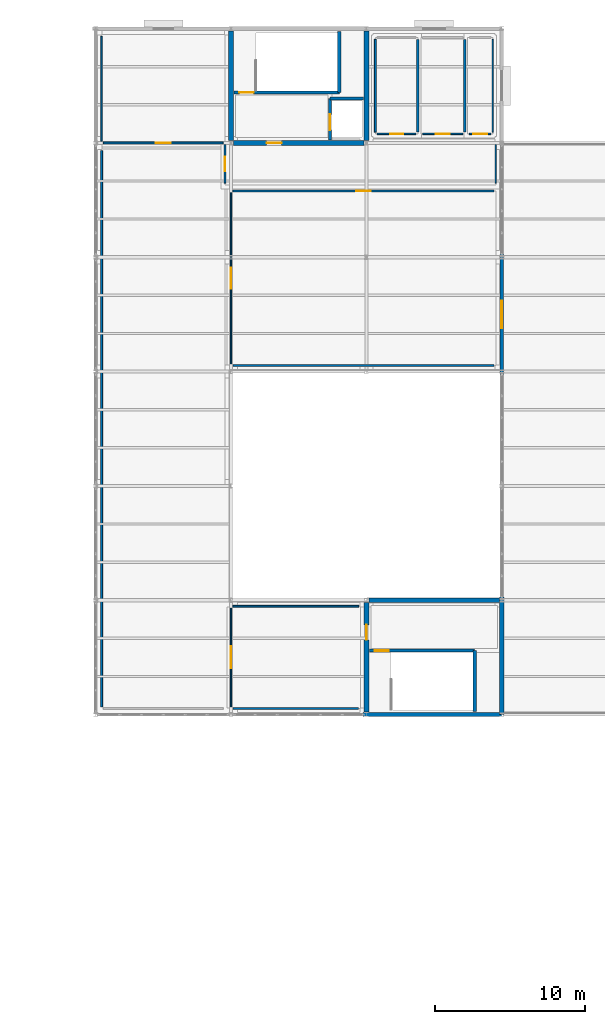
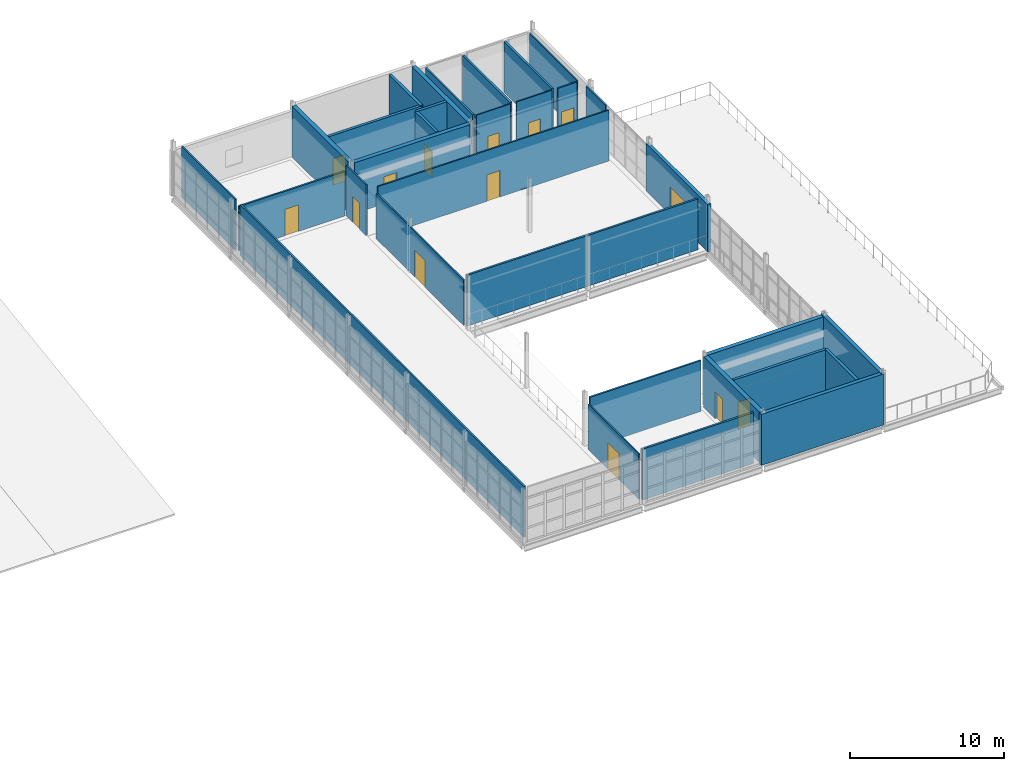
# One storey, part 43 of 48: 32 walls, 14 doors, 14 openings.
"""IFC4 building model written with IfcOpenShell, lengths in metres."""

from ifc_helpers import new_model, si_unit, direction, frame, frame_2d, origin, place, context, subcontext, project, spatial, rectangle, extrude, material, layer, layer_set, type_object, element, fill, save


model = new_model("IFC4")

# Units and contexts
model_context = context("Model", 3, precision=1e-05, world=origin(), true_north=direction((0.0, 1.0)))
body_context = subcontext(model_context, "Body", "Model", "MODEL_VIEW")
ifc_project = project(units=[si_unit("LENGTHUNIT", "METRE"), si_unit("AREAUNIT", "SQUARE_METRE"), si_unit("VOLUMEUNIT", "CUBIC_METRE"), si_unit("PLANEANGLEUNIT", "RADIAN"), si_unit("MASSUNIT", "GRAM", prefix="KILO")], contexts=[model_context])

# Site, building, storey
site_placement = place(None, origin())
site = spatial("IfcSite", under=ifc_project, at=site_placement, CompositionType="ELEMENT")
building_placement = place(site_placement, origin())
building = spatial("IfcBuilding", under=site, at=building_placement, Name="Caisbarro Railhouse Central Library", CompositionType="ELEMENT")
storey_placement = place(building_placement, frame((0.0, 0.0, 18.0)))
storey = spatial("IfcBuildingStorey", under=building, at=storey_placement, Name="L04", CompositionType="ELEMENT", Elevation=18.0)

# Wall, opening, door
ifc_material_1 = material(Name="Concrete C40", Category="concrete")
ifc_layer_1 = layer(ifc_material_1, 0.320068359375, Name="Concrete C40")
ifc_layer_set_1 = layer_set([ifc_layer_1], Name="Concrete C40")
wall_type_1 = type_object("IfcWallType", Name="WAL-CW32", PredefinedType="SHEAR", material=ifc_layer_set_1)
wall_1_placement = place(storey_placement, frame((126.159912109375, 106.39990234375, 0.0), z_axis=(0.0, 0.0, 1.0), x_axis=(1.0, 0.0, 0.0)))
wall_1 = element("IfcWall", 1, at=wall_1_placement, inside=storey, type_object=wall_type_1, Name="CW32 RC core shear wall L04 #52", PredefinedType="SHEAR", context=body_context, shape_type="SweptSolid", body=[
    extrude(rectangle(XDim=8.68017578125, YDim=0.320068359375, at=frame_2d((4.340087890625, 0.0))), origin(), (0.0, 0.0, 1.0), 4.0400390625),
])
opening_1_placement = place(wall_1_placement, frame((2.199951171875, 0.0, 0.0)))
opening_1 = element("IfcOpeningElement", 2, at=opening_1_placement, cuts=wall_1, Name="Opening FD05", PredefinedType="OPENING", context=body_context, shape_type="SweptSolid", body=[
    extrude(rectangle(XDim=1.0, YDim=2.14990234375, at=frame_2d((0.5, 1.074951171875))), frame((0.0, 0.169921875, 0.0), z_axis=(0.0, -1.0, 0.0), x_axis=(1.0, 0.0, 0.0)), (0.0, 0.0, 1.0), 0.340087890625),
])
ifc_material_2 = material(Name="Fire-rated painted galvanised steel", Category="steel")
door_type_1 = type_object("IfcDoorType", Name="DR-FD05", OperationType="NOTDEFINED", PredefinedType="DOOR", material=ifc_material_2)
door_1_placement = place(opening_1_placement, origin())
door_1 = element("IfcDoor", 3, at=door_1_placement, inside=storey, type_object=door_type_1, Name="Core K3 Lobby Door FD05 L04-099", OperationType="SINGLE_SWING_RIGHT", OverallHeight=2.14990234375, OverallWidth=1.0, PredefinedType="DOOR", context=body_context, shape_type="SweptSolid", body=[
    extrude(rectangle(XDim=1.0, YDim=2.14990234375, at=frame_2d((0.5, 1.074951171875))), frame((0.0, 0.02490234375, 0.0), z_axis=(0.0, -1.0, 0.0), x_axis=(1.0, 0.0, 0.0)), (0.0, 0.0, 1.0), 0.050048828125),
])
fill(opening_1, door_1)

# Walls
for number, where, z_axis, x_axis, name in (
    (4, (126.0, 106.56005859375, 0.0), (0.0, 0.0, 1.0), (0.0, 1.0, 0.0), "CW32 RC core shear wall L04 #53"),
    (5, (135.0, 106.56005859375, 0.0), (0.0, 0.0, 1.0), (0.0, 1.0, 0.0), "CW32 RC core shear wall L04 #54"),
):
    element("IfcWall", number, at=place(storey_placement, frame(where, z_axis=z_axis, x_axis=x_axis)), inside=storey, type_object=wall_type_1, Name=name, PredefinedType="SHEAR", context=body_context, shape_type="SweptSolid", body=[
        extrude(rectangle(XDim=7.280029296875, YDim=0.320068359375, at=frame_2d((3.64013671875, 0.0))), origin(), (0.0, 0.0, 1.0), 4.0400390625),
    ])
wall_2_placement = place(storey_placement, frame((135.159912109375, 76.0, 0.0), z_axis=(0.0, 0.0, 1.0), x_axis=(1.0, 0.0, 0.0)))
element("IfcWall", 6, at=wall_2_placement, inside=storey, type_object=wall_type_1, Name="CW32 RC core shear wall L04 #105", PredefinedType="SHEAR", context=body_context, shape_type="SweptSolid", body=[
    extrude(rectangle(XDim=8.68017578125, YDim=0.320068359375, at=frame_2d((4.340087890625, 0.0))), origin(), (0.0, 0.0, 1.0), 4.0400390625),
])

# Wall, opening, door
wall_3_placement = place(storey_placement, frame((135.0, 68.56005859375, 0.0), z_axis=(0.0, 0.0, 1.0), x_axis=(0.0, 1.0, 0.0)))
wall_3 = element("IfcWall", 7, at=wall_3_placement, inside=storey, type_object=wall_type_1, Name="CW32 RC core shear wall L04 #106", PredefinedType="SHEAR", context=body_context, shape_type="SweptSolid", body=[
    extrude(rectangle(XDim=7.280029296875, YDim=0.320068359375, at=frame_2d((3.64013671875, 0.0))), origin(), (0.0, 0.0, 1.0), 4.0400390625),
])
opening_2_placement = place(wall_3_placement, frame((4.800048828125, 0.0, 0.0)))
opening_2 = element("IfcOpeningElement", 8, at=opening_2_placement, cuts=wall_3, Name="Opening FD05", PredefinedType="OPENING", context=body_context, shape_type="SweptSolid", body=[
    extrude(rectangle(XDim=1.0, YDim=2.14990234375, at=frame_2d((0.5, 1.074951171875))), frame((0.0, 0.169921875, 0.0), z_axis=(0.0, -1.0, 0.0), x_axis=(1.0, 0.0, 0.0)), (0.0, 0.0, 1.0), 0.340087890625),
])
door_2_placement = place(opening_2_placement, origin())
door_2 = element("IfcDoor", 9, at=door_2_placement, inside=storey, type_object=door_type_1, Name="Core K7 Lobby Door FD05 L04-136", OperationType="SINGLE_SWING_LEFT", OverallHeight=2.14990234375, OverallWidth=1.0, PredefinedType="DOOR", context=body_context, shape_type="SweptSolid", body=[
    extrude(rectangle(XDim=1.0, YDim=2.14990234375, at=frame_2d((0.5, 1.074951171875))), frame((0.0, 0.02490234375, 0.0), z_axis=(0.0, -1.0, 0.0), x_axis=(1.0, 0.0, 0.0)), (0.0, 0.0, 1.0), 0.050048828125),
])
fill(opening_2, door_2)

ifc_material_3 = material(Name="Concrete C35 insulated architectural precast", Category="concrete")
ifc_layer_2 = layer(ifc_material_3, 0.239990234375, Name="Concrete C35 insulated architectural precast")
ifc_layer_set_2 = layer_set([ifc_layer_2], Name="Concrete C35 insulated architectural precast")
wall_type_2 = type_object("IfcWallType", Name="WAL-EW24", PredefinedType="STANDARD", material=ifc_layer_set_2)
wall_4_placement = place(storey_placement, frame((144.0, 90.989990234375, 0.0), z_axis=(0.0, 0.0, 1.0), x_axis=(0.0, 1.0, 0.0)))
wall_4 = element("IfcWall", 10, at=wall_4_placement, inside=storey, type_object=wall_type_2, Name="EW24 exterior wall L04 #229", PredefinedType="STANDARD", context=body_context, shape_type="SweptSolid", body=[
    extrude(rectangle(XDim=8.02001953125, YDim=0.239990234375, at=frame_2d((4.010009765625, 0.0))), origin(), (0.0, 0.0, 1.0), 3.76806640625),
])
opening_3_placement = place(wall_4_placement, frame((3.10009765625, 0.0, 0.0)))
opening_3 = element("IfcOpeningElement", 11, at=opening_3_placement, cuts=wall_4, Name="Opening TD01", PredefinedType="OPENING", context=body_context, shape_type="SweptSolid", body=[
    extrude(rectangle(XDim=1.820068359375, YDim=2.199951171875, at=frame_2d((0.91015625, 1.10009765625))), frame((0.0, 0.1298828125, 0.0), z_axis=(0.0, -1.0, 0.0), x_axis=(1.0, 0.0, 0.0)), (0.0, 0.0, 1.0), 0.260009765625),
])
ifc_material_4 = material(Name="Thermally broken anodised aluminium and safety glass", Category="aluminium")
door_type_2 = type_object("IfcDoorType", Name="DR-TD01", OperationType="NOTDEFINED", PredefinedType="DOOR", material=ifc_material_4)
door_3_placement = place(opening_3_placement, frame((1.820068359375, 0.0, 0.0), z_axis=(0.0, 0.0, 1.0), x_axis=(-1.0, 0.0, 0.0)))
door_3 = element("IfcDoor", 12, at=door_3_placement, inside=storey, type_object=door_type_2, Name="Terrace Door TD01 L04-39", OperationType="SINGLE_SWING_LEFT", OverallHeight=2.199951171875, OverallWidth=1.820068359375, PredefinedType="DOOR", context=body_context, shape_type="SweptSolid", body=[
    extrude(rectangle(XDim=1.820068359375, YDim=2.199951171875, at=frame_2d((0.91015625, 1.10009765625))), frame((0.0, 0.02490234375, 0.0), z_axis=(0.0, -1.0, 0.0), x_axis=(1.0, 0.0, 0.0)), (0.0, 0.0, 1.0), 0.050048828125),
])
fill(opening_3, door_3)

# Walls
ifc_layer_3 = layer(ifc_material_1, 0.280029296875, Name="Concrete C40")
ifc_layer_set_3 = layer_set([ifc_layer_3], Name="Concrete C40")
wall_type_3 = type_object("IfcWallType", Name="WAL-EW28", PredefinedType="SOLIDWALL", material=ifc_layer_set_3)
wall_5_placement = place(storey_placement, frame((134.7900390625, 68.39990234375, 0.0), z_axis=(0.0, 0.0, 1.0), x_axis=(1.0, 0.0, 0.0)))
element("IfcWall", 13, at=wall_5_placement, inside=storey, type_object=wall_type_3, Name="EW28 exterior wall L04 #226", PredefinedType="SOLIDWALL", context=body_context, shape_type="SweptSolid", body=[
    extrude(rectangle(XDim=9.2099609375, YDim=0.280029296875, at=frame_2d((4.60498046875, 0.0))), origin(), (0.0, 0.0, 1.0), 4.06005859375),
])
wall_6_placement = place(storey_placement, frame((144.0, 68.39990234375, 0.0), z_axis=(0.0, 0.0, 1.0), x_axis=(0.0, 1.0, 0.0)))
element("IfcWall", 14, at=wall_6_placement, inside=storey, type_object=wall_type_3, Name="EW28 exterior wall L04 #228", PredefinedType="SOLIDWALL", context=body_context, shape_type="SweptSolid", body=[
    extrude(rectangle(XDim=7.81005859375, YDim=0.280029296875, at=frame_2d((3.905029296875, 0.0))), origin(), (0.0, 0.0, 1.0), 4.06005859375),
])

# Wall, opening, door
ifc_material_5 = material(Name="Acoustic gypsum board on galvanised steel studs", Category="steel")
ifc_layer_4 = layer(ifc_material_5, 0.090087890625, Name="Acoustic gypsum board on galvanised steel studs")
ifc_layer_set_4 = layer_set([ifc_layer_4], Name="Acoustic gypsum board on galvanised steel studs")
wall_type_4 = type_object("IfcWallType", Name="WAL-IW09", PredefinedType="PARTITIONING", material=ifc_layer_set_4)
wall_7_placement = place(storey_placement, frame((126.0, 91.719970703125, 0.0), z_axis=(0.0, 0.0, 1.0), x_axis=(0.0, 1.0, 0.0)))
wall_7 = element("IfcWall", 15, at=wall_7_placement, inside=storey, type_object=wall_type_4, Name="IW09 partition wall L04 #620", PredefinedType="PARTITIONING", context=body_context, shape_type="SweptSolid", body=[
    extrude(rectangle(XDim=11.360107421875, YDim=0.090087890625, at=frame_2d((5.68017578125, 0.0))), origin(), (0.0, 0.0, 1.0), 3.611083984375),
])
opening_4_placement = place(wall_7_placement, frame((4.989990234375, 0.0, 0.0)))
opening_4 = element("IfcOpeningElement", 16, at=opening_4_placement, cuts=wall_7, Name="Opening ID17", PredefinedType="OPENING", context=body_context, shape_type="SweptSolid", body=[
    extrude(rectangle(XDim=1.3798828125, YDim=2.10009765625, at=frame_2d((0.68994140625, 1.050048828125))), frame((0.0, 0.05517578125, 0.0), z_axis=(0.0, -1.0, 0.0), x_axis=(1.0, 0.0, 0.0)), (0.0, 0.0, 1.0), 0.110107421875),
])
ifc_material_6 = material(Name="Solid-core tropical hardwood veneer", Category="wood")
door_type_3 = type_object("IfcDoorType", Name="DR-ID17", OperationType="NOTDEFINED", PredefinedType="DOOR", material=ifc_material_6)
door_4_placement = place(opening_4_placement, origin())
door_4 = element("IfcDoor", 17, at=door_4_placement, inside=storey, type_object=door_type_3, Name="Top-Lit Atrium Reading Gallery Door ID17 L04-345", OperationType="SINGLE_SWING_LEFT", OverallHeight=2.10009765625, OverallWidth=1.3798828125, PredefinedType="DOOR", context=body_context, shape_type="SweptSolid", body=[
    extrude(rectangle(XDim=1.3798828125, YDim=2.10009765625, at=frame_2d((0.68994140625, 1.050048828125))), frame((0.0, 0.02490234375, 0.0), z_axis=(0.0, -1.0, 0.0), x_axis=(1.0, 0.0, 0.0)), (0.0, 0.0, 1.0), 0.050048828125),
])
fill(opening_4, door_4)

wall_8_placement = place(storey_placement, frame((135.719970703125, 107.0, 0.0), z_axis=(0.0, 0.0, 1.0), x_axis=(1.0, 0.0, 0.0)))
wall_8 = element("IfcWall", 18, at=wall_8_placement, inside=storey, type_object=wall_type_4, Name="IW09 partition wall L04 #624", PredefinedType="PARTITIONING", context=body_context, shape_type="SweptSolid", body=[
    extrude(rectangle(XDim=2.575927734375, YDim=0.090087890625, at=frame_2d((1.2880859375, 0.0))), origin(), (0.0, 0.0, 1.0), 4.0400390625),
])
opening_5_placement = place(wall_8_placement, frame((0.85791015625, 0.0, 0.0)))
opening_5 = element("IfcOpeningElement", 19, at=opening_5_placement, cuts=wall_8, Name="Opening ID01", PredefinedType="OPENING", context=body_context, shape_type="SweptSolid", body=[
    extrude(rectangle(XDim=0.860107421875, YDim=2.06005859375, at=frame_2d((0.43017578125, 1.030029296875))), frame((0.0, 0.05517578125, 0.0), z_axis=(0.0, -1.0, 0.0), x_axis=(1.0, 0.0, 0.0)), (0.0, 0.0, 1.0), 0.110107421875),
])
door_type_4 = type_object("IfcDoorType", Name="DR-ID01", OperationType="NOTDEFINED", PredefinedType="DOOR", material=ifc_material_6)
door_5_placement = place(opening_5_placement, origin())
door_5 = element("IfcDoor", 20, at=door_5_placement, inside=storey, type_object=door_type_4, Name="Male WC L04-V4 Door ID01 L04-341", OperationType="SINGLE_SWING_LEFT", OverallHeight=2.06005859375, OverallWidth=0.860107421875, PredefinedType="DOOR", context=body_context, shape_type="SweptSolid", body=[
    extrude(rectangle(XDim=0.860107421875, YDim=2.06005859375, at=frame_2d((0.43017578125, 1.030029296875))), frame((0.0, 0.02490234375, 0.0), z_axis=(0.0, -1.0, 0.0), x_axis=(1.0, 0.0, 0.0)), (0.0, 0.0, 1.0), 0.050048828125),
])
fill(opening_5, door_5)

wall_9_placement = place(storey_placement, frame((138.736083984375, 107.0, 0.0), z_axis=(0.0, 0.0, 1.0), x_axis=(1.0, 0.0, 0.0)))
wall_9 = element("IfcWall", 21, at=wall_9_placement, inside=storey, type_object=wall_type_4, Name="IW09 partition wall L04 #628", PredefinedType="PARTITIONING", context=body_context, shape_type="SweptSolid", body=[
    extrude(rectangle(XDim=2.676025390625, YDim=0.090087890625, at=frame_2d((1.337890625, 0.0))), origin(), (0.0, 0.0, 1.0), 4.0400390625),
])
opening_6_placement = place(wall_9_placement, frame((0.887939453125, 0.0, 0.0)))
opening_6 = element("IfcOpeningElement", 22, at=opening_6_placement, cuts=wall_9, Name="Opening ID02", PredefinedType="OPENING", context=body_context, shape_type="SweptSolid", body=[
    extrude(rectangle(XDim=0.89990234375, YDim=2.06005859375, at=frame_2d((0.449951171875, 1.030029296875))), frame((0.0, 0.05517578125, 0.0), z_axis=(0.0, -1.0, 0.0), x_axis=(1.0, 0.0, 0.0)), (0.0, 0.0, 1.0), 0.110107421875),
])
door_type_5 = type_object("IfcDoorType", Name="DR-ID02", OperationType="NOTDEFINED", PredefinedType="DOOR", material=ifc_material_6)
door_6_placement = place(opening_6_placement, origin())
door_6 = element("IfcDoor", 23, at=door_6_placement, inside=storey, type_object=door_type_5, Name="Female WC L04-V4 Door ID02 L04-342", OperationType="SINGLE_SWING_RIGHT", OverallHeight=2.06005859375, OverallWidth=0.89990234375, PredefinedType="DOOR", context=body_context, shape_type="SweptSolid", body=[
    extrude(rectangle(XDim=0.89990234375, YDim=2.06005859375, at=frame_2d((0.449951171875, 1.030029296875))), frame((0.0, 0.02490234375, 0.0), z_axis=(0.0, -1.0, 0.0), x_axis=(1.0, 0.0, 0.0)), (0.0, 0.0, 1.0), 0.050048828125),
])
fill(opening_6, door_6)

# Wall
wall_10_placement = place(storey_placement, frame((143.39990234375, 107.1201171875, 0.0), z_axis=(0.0, 0.0, 1.0), x_axis=(0.0, 1.0, 0.0)))
element("IfcWall", 24, at=wall_10_placement, inside=storey, type_object=wall_type_4, Name="IW09 partition wall L04 #632", PredefinedType="PARTITIONING", context=body_context, shape_type="SweptSolid", body=[
    extrude(rectangle(XDim=6.159912109375, YDim=0.090087890625, at=frame_2d((3.080078125, 0.0))), origin(), (0.0, 0.0, 1.0), 4.0400390625),
])

# Wall, opening, door
wall_11_placement = place(storey_placement, frame((126.0, 68.919921875, 0.0), z_axis=(0.0, 0.0, 1.0), x_axis=(0.0, 1.0, 0.0)))
wall_11 = element("IfcWall", 25, at=wall_11_placement, inside=storey, type_object=wall_type_4, Name="IW09 partition wall L04 #636", PredefinedType="PARTITIONING", context=body_context, shape_type="SweptSolid", body=[
    extrude(rectangle(XDim=6.56005859375, YDim=0.090087890625, at=frame_2d((3.280029296875, 0.0))), origin(), (0.0, 0.0, 1.0), 3.611083984375),
])
opening_7_placement = place(wall_11_placement, frame((2.550048828125, 0.0, 0.0)))
opening_7 = element("IfcOpeningElement", 26, at=opening_7_placement, cuts=wall_11, Name="Opening ID18", PredefinedType="OPENING", context=body_context, shape_type="SweptSolid", body=[
    extrude(rectangle(XDim=1.4599609375, YDim=2.10009765625, at=frame_2d((0.72998046875, 1.050048828125))), frame((0.0, 0.05517578125, 0.0), z_axis=(0.0, -1.0, 0.0), x_axis=(1.0, 0.0, 0.0)), (0.0, 0.0, 1.0), 0.110107421875),
])
door_type_6 = type_object("IfcDoorType", Name="DR-ID18", OperationType="NOTDEFINED", PredefinedType="DOOR", material=ifc_material_6)
door_7_placement = place(opening_7_placement, origin())
door_7 = element("IfcDoor", 27, at=door_7_placement, inside=storey, type_object=door_type_6, Name="Atrium South Corridor L04 Door ID18 L04-346", OperationType="SINGLE_SWING_RIGHT", OverallHeight=2.10009765625, OverallWidth=1.4599609375, PredefinedType="DOOR", context=body_context, shape_type="SweptSolid", body=[
    extrude(rectangle(XDim=1.4599609375, YDim=2.10009765625, at=frame_2d((0.72998046875, 1.050048828125))), frame((0.0, 0.02490234375, 0.0), z_axis=(0.0, -1.0, 0.0), x_axis=(1.0, 0.0, 0.0)), (0.0, 0.0, 1.0), 0.050048828125),
])
fill(opening_7, door_7)

# Wall
wall_12_placement = place(storey_placement, frame((143.60009765625, 103.719970703125, 0.0), z_axis=(0.0, 0.0, 1.0), x_axis=(0.0, 1.0, 0.0)))
element("IfcWall", 28, at=wall_12_placement, inside=storey, type_object=wall_type_4, Name="IW09 partition wall L04 #640", PredefinedType="PARTITIONING", context=body_context, shape_type="SweptSolid", body=[
    extrude(rectangle(XDim=2.56005859375, YDim=0.090087890625, at=frame_2d((1.280029296875, 0.0))), origin(), (0.0, 0.0, 1.0), 4.0400390625),
])

# Wall, opening, door
ifc_layer_5 = layer(ifc_material_5, 0.110107421875, Name="Acoustic gypsum board on galvanised steel studs")
ifc_layer_set_5 = layer_set([ifc_layer_5], Name="Acoustic gypsum board on galvanised steel studs")
wall_type_5 = type_object("IfcWallType", Name="WAL-IW11", PredefinedType="PARTITIONING", material=ifc_layer_set_5)
wall_13_placement = place(storey_placement, frame((126.1201171875, 103.199951171875, 0.0), z_axis=(0.0, 0.0, 1.0), x_axis=(1.0, 0.0, 0.0)))
wall_13 = element("IfcWall", 29, at=wall_13_placement, inside=storey, type_object=wall_type_5, Name="IW11 partition wall L04 #619", PredefinedType="PARTITIONING", context=body_context, shape_type="SweptSolid", body=[
    extrude(rectangle(XDim=17.35986328125, YDim=0.110107421875, at=frame_2d((8.679931640625, 0.0))), origin(), (0.0, 0.0, 1.0), 4.0400390625),
])
opening_8_placement = place(wall_13_placement, frame((8.199951171875, 0.0, 0.0)))
opening_8 = element("IfcOpeningElement", 30, at=opening_8_placement, cuts=wall_13, Name="Opening ID11", PredefinedType="OPENING", context=body_context, shape_type="SweptSolid", body=[
    extrude(rectangle(XDim=0.9599609375, YDim=2.10009765625, at=frame_2d((0.47998046875, 1.050048828125))), frame((0.0, 0.06494140625, 0.0), z_axis=(0.0, -1.0, 0.0), x_axis=(1.0, 0.0, 0.0)), (0.0, 0.0, 1.0), 0.130126953125),
])
door_type_7 = type_object("IfcDoorType", Name="DR-ID11", OperationType="NOTDEFINED", PredefinedType="DOOR", material=ifc_material_6)
door_8_placement = place(opening_8_placement, origin())
door_8 = element("IfcDoor", 31, at=door_8_placement, inside=storey, type_object=door_type_7, Name="Northeast Brazil Map and Prints Room Door ID11 L04-339", OperationType="SINGLE_SWING_LEFT", OverallHeight=2.10009765625, OverallWidth=0.9599609375, PredefinedType="DOOR", context=body_context, shape_type="SweptSolid", body=[
    extrude(rectangle(XDim=0.9599609375, YDim=2.10009765625, at=frame_2d((0.47998046875, 1.050048828125))), frame((0.0, 0.02490234375, 0.0), z_axis=(0.0, -1.0, 0.0), x_axis=(1.0, 0.0, 0.0)), (0.0, 0.0, 1.0), 0.050048828125),
])
fill(opening_8, door_8)

# Wall
wall_14_placement = place(storey_placement, frame((117.39990234375, 106.52001953125, 0.0), z_axis=(0.0, 0.0, 1.0), x_axis=(0.0, 1.0, 0.0)))
element("IfcWall", 32, at=wall_14_placement, inside=storey, type_object=wall_type_5, Name="IW11 partition wall L04 #623", PredefinedType="PARTITIONING", context=body_context, shape_type="SweptSolid", body=[
    extrude(rectangle(XDim=6.9599609375, YDim=0.110107421875, at=frame_2d((3.47998046875, 0.0))), origin(), (0.0, 0.0, 1.0), 4.0400390625),
])

# Wall, opening, door
wall_15_placement = place(storey_placement, frame((141.85205078125, 107.0, 0.0), z_axis=(0.0, 0.0, 1.0), x_axis=(1.0, 0.0, 0.0)))
wall_15 = element("IfcWall", 33, at=wall_15_placement, inside=storey, type_object=wall_type_5, Name="IW11 partition wall L04 #631", PredefinedType="PARTITIONING", context=body_context, shape_type="SweptSolid", body=[
    extrude(rectangle(XDim=1.427978515625, YDim=0.110107421875, at=frame_2d((0.7138671875, 0.0))), origin(), (0.0, 0.0, 1.0), 4.0400390625),
])
opening_9_placement = place(wall_15_placement, frame((0.243896484375, 0.0, 0.0)))
opening_9 = element("IfcOpeningElement", 34, at=opening_9_placement, cuts=wall_15, Name="Opening ID03", PredefinedType="OPENING", context=body_context, shape_type="SweptSolid", body=[
    extrude(rectangle(XDim=0.93994140625, YDim=2.06005859375, at=frame_2d((0.469970703125, 1.030029296875))), frame((0.0, 0.06494140625, 0.0), z_axis=(0.0, -1.0, 0.0), x_axis=(1.0, 0.0, 0.0)), (0.0, 0.0, 1.0), 0.130126953125),
])
door_type_8 = type_object("IfcDoorType", Name="DR-ID03", OperationType="NOTDEFINED", PredefinedType="DOOR", material=ifc_material_6)
door_9_placement = place(opening_9_placement, origin())
door_9 = element("IfcDoor", 35, at=door_9_placement, inside=storey, type_object=door_type_8, Name="Accessible WC L04-V4 Door ID03 L04-343", OperationType="SINGLE_SWING_LEFT", OverallHeight=2.06005859375, OverallWidth=0.93994140625, PredefinedType="DOOR", context=body_context, shape_type="SweptSolid", body=[
    extrude(rectangle(XDim=0.93994140625, YDim=2.06005859375, at=frame_2d((0.469970703125, 1.030029296875))), frame((0.0, 0.02490234375, 0.0), z_axis=(0.0, -1.0, 0.0), x_axis=(1.0, 0.0, 0.0)), (0.0, 0.0, 1.0), 0.050048828125),
])
fill(opening_9, door_9)

wall_16_placement = place(storey_placement, frame((125.60009765625, 103.719970703125, 0.0), z_axis=(0.0, 0.0, 1.0), x_axis=(0.0, 1.0, 0.0)))
wall_16 = element("IfcWall", 36, at=wall_16_placement, inside=storey, type_object=wall_type_5, Name="IW11 partition wall L04 #639", PredefinedType="PARTITIONING", context=body_context, shape_type="SweptSolid", body=[
    extrude(rectangle(XDim=2.56005859375, YDim=0.110107421875, at=frame_2d((1.280029296875, 0.0))), origin(), (0.0, 0.0, 1.0), 4.0400390625),
])
opening_10_placement = place(wall_16_placement, frame((0.81005859375, 0.0, 0.0)))
opening_10 = element("IfcOpeningElement", 37, at=opening_10_placement, cuts=wall_16, Name="Opening ID03", PredefinedType="OPENING", context=body_context, shape_type="SweptSolid", body=[
    extrude(rectangle(XDim=0.93994140625, YDim=2.06005859375, at=frame_2d((0.469970703125, 1.030029296875))), frame((0.0, 0.06494140625, 0.0), z_axis=(0.0, -1.0, 0.0), x_axis=(1.0, 0.0, 0.0)), (0.0, 0.0, 1.0), 0.130126953125),
])
door_10_placement = place(opening_10_placement, origin())
door_10 = element("IfcDoor", 38, at=door_10_placement, inside=storey, type_object=door_type_8, Name="Atrium North WC Corridor L04 Door ID03 L04-347", OperationType="SINGLE_SWING_LEFT", OverallHeight=2.06005859375, OverallWidth=0.93994140625, PredefinedType="DOOR", context=body_context, shape_type="SweptSolid", body=[
    extrude(rectangle(XDim=0.93994140625, YDim=2.06005859375, at=frame_2d((0.469970703125, 1.030029296875))), frame((0.0, 0.02490234375, 0.0), z_axis=(0.0, -1.0, 0.0), x_axis=(1.0, 0.0, 0.0)), (0.0, 0.0, 1.0), 0.050048828125),
])
fill(opening_10, door_10)

ifc_layer_6 = layer(ifc_material_5, 0.1298828125, Name="Acoustic gypsum board on galvanised steel studs")
ifc_layer_set_6 = layer_set([ifc_layer_6], Name="Acoustic gypsum board on galvanised steel studs")
wall_type_6 = type_object("IfcWallType", Name="WAL-IW13", PredefinedType="PARTITIONING", material=ifc_layer_set_6)
wall_17_placement = place(storey_placement, frame((117.52001953125, 106.39990234375, 0.0), z_axis=(0.0, 0.0, 1.0), x_axis=(1.0, 0.0, 0.0)))
wall_17 = element("IfcWall", 39, at=wall_17_placement, inside=storey, type_object=wall_type_6, Name="IW13 partition wall L04 #622", PredefinedType="PARTITIONING", context=body_context, shape_type="SweptSolid", body=[
    extrude(rectangle(XDim=7.9599609375, YDim=0.1298828125, at=frame_2d((3.97998046875, 0.0))), origin(), (0.0, 0.0, 1.0), 3.534912109375),
])
opening_11_placement = place(wall_17_placement, frame((3.469970703125, 0.0, 0.0)))
opening_11 = element("IfcOpeningElement", 40, at=opening_11_placement, cuts=wall_17, Name="Opening ID12", PredefinedType="OPENING", context=body_context, shape_type="SweptSolid", body=[
    extrude(rectangle(XDim=1.02001953125, YDim=2.10009765625, at=frame_2d((0.510009765625, 1.050048828125))), frame((0.0, 0.074951171875, 0.0), z_axis=(0.0, -1.0, 0.0), x_axis=(1.0, 0.0, 0.0)), (0.0, 0.0, 1.0), 0.14990234375),
])
door_type_9 = type_object("IfcDoorType", Name="DR-ID12", OperationType="NOTDEFINED", PredefinedType="DOOR", material=ifc_material_6)
door_11_placement = place(opening_11_placement, origin())
door_11 = element("IfcDoor", 41, at=door_11_placement, inside=storey, type_object=door_type_9, Name="Library Administration Office Door ID12 L04-340", OperationType="SINGLE_SWING_RIGHT", OverallHeight=2.10009765625, OverallWidth=1.02001953125, PredefinedType="DOOR", context=body_context, shape_type="SweptSolid", body=[
    extrude(rectangle(XDim=1.02001953125, YDim=2.10009765625, at=frame_2d((0.510009765625, 1.050048828125))), frame((0.0, 0.02490234375, 0.0), z_axis=(0.0, -1.0, 0.0), x_axis=(1.0, 0.0, 0.0)), (0.0, 0.0, 1.0), 0.050048828125),
])
fill(opening_11, door_11)

# Walls
wall_18_placement = place(storey_placement, frame((135.60009765625, 107.1201171875, 0.0), z_axis=(0.0, 0.0, 1.0), x_axis=(0.0, 1.0, 0.0)))
element("IfcWall", 42, at=wall_18_placement, inside=storey, type_object=wall_type_6, Name="IW13 partition wall L04 #626", PredefinedType="PARTITIONING", context=body_context, shape_type="SweptSolid", body=[
    extrude(rectangle(XDim=6.159912109375, YDim=0.1298828125, at=frame_2d((3.080078125, 0.0))), origin(), (0.0, 0.0, 1.0), 4.0400390625),
])
wall_19_placement = place(storey_placement, frame((117.39990234375, 68.919921875, 0.0), z_axis=(0.0, 0.0, 1.0), x_axis=(0.0, 1.0, 0.0)))
element("IfcWall", 43, at=wall_19_placement, inside=storey, type_object=wall_type_6, Name="IW13 partition wall L04 #634", PredefinedType="PARTITIONING", context=body_context, shape_type="SweptSolid", body=[
    extrude(rectangle(XDim=36.9599609375, YDim=0.1298828125, at=frame_2d((18.47998046875, 0.0))), origin(), (0.0, 0.0, 1.0), 4.0400390625),
])
wall_20_placement = place(storey_placement, frame((126.1201171875, 75.60009765625, 0.0), z_axis=(0.0, 0.0, 1.0), x_axis=(1.0, 0.0, 0.0)))
element("IfcWall", 44, at=wall_20_placement, inside=storey, type_object=wall_type_6, Name="IW13 partition wall L04 #638", PredefinedType="PARTITIONING", context=body_context, shape_type="SweptSolid", body=[
    extrude(rectangle(XDim=8.35986328125, YDim=0.1298828125, at=frame_2d((4.179931640625, 0.0))), origin(), (0.0, 0.0, 1.0), 4.0400390625),
])
ifc_layer_7 = layer(ifc_material_5, 0.14990234375, Name="Acoustic gypsum board on galvanised steel studs")
ifc_layer_set_7 = layer_set([ifc_layer_7], Name="Acoustic gypsum board on galvanised steel studs")
wall_type_7 = type_object("IfcWallType", Name="WAL-IW15", PredefinedType="PARTITIONING", material=ifc_layer_set_7)
wall_21_placement = place(storey_placement, frame((126.1201171875, 91.60009765625, 0.0), z_axis=(0.0, 0.0, 1.0), x_axis=(1.0, 0.0, 0.0)))
element("IfcWall", 45, at=wall_21_placement, inside=storey, type_object=wall_type_7, Name="IW15 partition wall L04 #621", PredefinedType="PARTITIONING", context=body_context, shape_type="SweptSolid", body=[
    extrude(rectangle(XDim=17.35986328125, YDim=0.14990234375, at=frame_2d((8.679931640625, 0.0))), origin(), (0.0, 0.0, 1.0), 4.0400390625),
])
for number, where, z_axis, x_axis, name in (
    (46, (138.416015625, 107.1201171875, 0.0), (0.0, 0.0, 1.0), (0.0, 1.0, 0.0), "IW15 partition wall L04 #625"),
    (47, (141.531982421875, 107.1201171875, 0.0), (0.0, 0.0, 1.0), (0.0, 1.0, 0.0), "IW15 partition wall L04 #629"),
):
    element("IfcWall", number, at=place(storey_placement, frame(where, z_axis=z_axis, x_axis=x_axis)), inside=storey, type_object=wall_type_7, Name=name, PredefinedType="PARTITIONING", context=body_context, shape_type="SweptSolid", body=[
        extrude(rectangle(XDim=6.159912109375, YDim=0.14990234375, at=frame_2d((3.080078125, 0.0))), origin(), (0.0, 0.0, 1.0), 4.0400390625),
    ])
wall_22_placement = place(storey_placement, frame((126.1201171875, 68.800048828125, 0.0), z_axis=(0.0, 0.0, 1.0), x_axis=(1.0, 0.0, 0.0)))
element("IfcWall", 48, at=wall_22_placement, inside=storey, type_object=wall_type_7, Name="IW15 partition wall L04 #637", PredefinedType="PARTITIONING", context=body_context, shape_type="SweptSolid", body=[
    extrude(rectangle(XDim=8.35986328125, YDim=0.14990234375, at=frame_2d((4.179931640625, 0.0))), origin(), (0.0, 0.0, 1.0), 4.0400390625),
])

# Wall, opening, door
ifc_layer_8 = layer(ifc_material_1, 0.2099609375, Name="Concrete C40")
ifc_layer_set_8 = layer_set([ifc_layer_8], Name="Concrete C40")
wall_type_8 = type_object("IfcWallType", Name="WAL-SW21", PredefinedType="SOLIDWALL", material=ifc_layer_set_8)
wall_23_placement = place(storey_placement, frame((126.199951171875, 109.75, 0.0), z_axis=(0.0, 0.0, 1.0), x_axis=(1.0, 0.0, 0.0)))
wall_23 = element("IfcWall", 49, at=wall_23_placement, inside=storey, type_object=wall_type_8, Name="SW21 core shaft wall L04 #115", PredefinedType="SOLIDWALL", context=body_context, shape_type="SweptSolid", body=[
    extrude(rectangle(XDim=7.0, YDim=0.2099609375, at=frame_2d((3.5, 0.0))), origin(), (0.0, 0.0, 1.0), 4.0400390625),
])
opening_12_placement = place(wall_23_placement, frame((0.35009765625, 0.0, 0.0)))
opening_12 = element("IfcOpeningElement", 50, at=opening_12_placement, cuts=wall_23, Name="Opening FD01", PredefinedType="OPENING", context=body_context, shape_type="SweptSolid", body=[
    extrude(rectangle(XDim=0.949951171875, YDim=2.1201171875, at=frame_2d((0.47509765625, 1.06005859375))), frame((0.0, 0.114990234375, 0.0), z_axis=(0.0, -1.0, 0.0), x_axis=(1.0, 0.0, 0.0)), (0.0, 0.0, 1.0), 0.22998046875),
])
door_type_10 = type_object("IfcDoorType", Name="DR-FD01", OperationType="NOTDEFINED", PredefinedType="DOOR", material=ifc_material_2)
door_12_placement = place(opening_12_placement, origin())
door_12 = element("IfcDoor", 51, at=door_12_placement, inside=storey, type_object=door_type_10, Name="Stair ST-03 Fire Door FD01 L04-097", OperationType="SINGLE_SWING_LEFT", OverallHeight=2.1201171875, OverallWidth=0.949951171875, PredefinedType="DOOR", context=body_context, shape_type="SweptSolid", body=[
    extrude(rectangle(XDim=0.949951171875, YDim=2.1201171875, at=frame_2d((0.47509765625, 1.06005859375))), frame((0.0, 0.02490234375, 0.0), z_axis=(0.0, -1.0, 0.0), x_axis=(1.0, 0.0, 0.0)), (0.0, 0.0, 1.0), 0.050048828125),
])
fill(opening_12, door_12)

# Wall
wall_24_placement = place(storey_placement, frame((133.199951171875, 109.75, 0.0), z_axis=(0.0, 0.0, 1.0), x_axis=(0.0, 1.0, 0.0)))
element("IfcWall", 52, at=wall_24_placement, inside=storey, type_object=wall_type_8, Name="SW21 core shaft wall L04 #116", PredefinedType="SOLIDWALL", context=body_context, shape_type="SweptSolid", body=[
    extrude(rectangle(XDim=4.050048828125, YDim=0.2099609375, at=frame_2d((2.02490234375, 0.0))), origin(), (0.0, 0.0, 1.0), 4.0400390625),
])

# Wall, opening, door
wall_25_placement = place(storey_placement, frame((132.580078125, 106.60009765625, 0.0), z_axis=(0.0, 0.0, 1.0), x_axis=(0.0, 1.0, 0.0)))
wall_25 = element("IfcWall", 53, at=wall_25_placement, inside=storey, type_object=wall_type_8, Name="SW21 core shaft wall L04 #117", PredefinedType="SOLIDWALL", context=body_context, shape_type="SweptSolid", body=[
    extrude(rectangle(XDim=2.75, YDim=0.2099609375, at=frame_2d((1.375, 0.0))), origin(), (0.0, 0.0, 1.0), 4.0400390625),
])
opening_13_placement = place(wall_25_placement, frame((0.64990234375, 0.0, 0.0)))
opening_13 = element("IfcOpeningElement", 54, at=opening_13_placement, cuts=wall_25, Name="Opening LD02", PredefinedType="OPENING", context=body_context, shape_type="SweptSolid", body=[
    extrude(rectangle(XDim=1.0400390625, YDim=2.10009765625, at=frame_2d((0.52001953125, 1.050048828125))), frame((0.0, 0.114990234375, 0.0), z_axis=(0.0, -1.0, 0.0), x_axis=(1.0, 0.0, 0.0)), (0.0, 0.0, 1.0), 0.22998046875),
])
ifc_material_7 = material(Name="Brushed stainless steel elevator cab", Category="steel")
door_type_11 = type_object("IfcDoorType", Name="DR-LD02", OperationType="NOTDEFINED", PredefinedType="DOOR", material=ifc_material_7)
door_13_placement = place(opening_13_placement, origin())
door_13 = element("IfcDoor", 55, at=door_13_placement, inside=storey, type_object=door_type_11, Name="Lift PL-02 Landing Door LD02 L04-098", OperationType="SLIDING_TO_LEFT", OverallHeight=2.10009765625, OverallWidth=1.0400390625, PredefinedType="DOOR", context=body_context, shape_type="SweptSolid", body=[
    extrude(rectangle(XDim=1.0400390625, YDim=2.10009765625, at=frame_2d((0.52001953125, 1.050048828125))), frame((0.0, 0.02490234375, 0.0), z_axis=(0.0, -1.0, 0.0), x_axis=(1.0, 0.0, 0.0)), (0.0, 0.0, 1.0), 0.050048828125),
])
fill(opening_13, door_13)

# Wall
wall_26_placement = place(storey_placement, frame((132.580078125, 109.35009765625, 0.0), z_axis=(0.0, 0.0, 1.0), x_axis=(1.0, 0.0, 0.0)))
element("IfcWall", 56, at=wall_26_placement, inside=storey, type_object=wall_type_8, Name="SW21 core shaft wall L04 #118", PredefinedType="SOLIDWALL", context=body_context, shape_type="SweptSolid", body=[
    extrude(rectangle(XDim=2.239990234375, YDim=0.2099609375, at=frame_2d((1.1201171875, 0.0))), origin(), (0.0, 0.0, 1.0), 4.0400390625),
])

# Wall, opening, door
wall_27_placement = place(storey_placement, frame((135.199951171875, 72.64990234375, 0.0), z_axis=(0.0, 0.0, 1.0), x_axis=(1.0, 0.0, 0.0)))
wall_27 = element("IfcWall", 57, at=wall_27_placement, inside=storey, type_object=wall_type_8, Name="SW21 core shaft wall L04 #159", PredefinedType="SOLIDWALL", context=body_context, shape_type="SweptSolid", body=[
    extrude(rectangle(XDim=7.0, YDim=0.2099609375, at=frame_2d((3.5, 0.0))), origin(), (0.0, 0.0, 1.0), 4.0400390625),
])
opening_14_placement = place(wall_27_placement, frame((0.35009765625, 0.0, 0.0)))
opening_14 = element("IfcOpeningElement", 58, at=opening_14_placement, cuts=wall_27, Name="Opening FD01", PredefinedType="OPENING", context=body_context, shape_type="SweptSolid", body=[
    extrude(rectangle(XDim=0.949951171875, YDim=2.1201171875, at=frame_2d((0.47509765625, 1.06005859375))), frame((0.0, 0.114990234375, 0.0), z_axis=(0.0, -1.0, 0.0), x_axis=(1.0, 0.0, 0.0)), (0.0, 0.0, 1.0), 0.22998046875),
])
door_14_placement = place(opening_14_placement, origin())
door_14 = element("IfcDoor", 59, at=door_14_placement, inside=storey, type_object=door_type_10, Name="Stair ST-07 Fire Door FD01 L04-135", OperationType="SINGLE_SWING_RIGHT", OverallHeight=2.1201171875, OverallWidth=0.949951171875, PredefinedType="DOOR", context=body_context, shape_type="SweptSolid", body=[
    extrude(rectangle(XDim=0.949951171875, YDim=2.1201171875, at=frame_2d((0.47509765625, 1.06005859375))), frame((0.0, 0.02490234375, 0.0), z_axis=(0.0, -1.0, 0.0), x_axis=(1.0, 0.0, 0.0)), (0.0, 0.0, 1.0), 0.050048828125),
])
fill(opening_14, door_14)

# Wall
wall_28_placement = place(storey_placement, frame((142.199951171875, 68.60009765625, 0.0), z_axis=(0.0, 0.0, 1.0), x_axis=(0.0, 1.0, 0.0)))
element("IfcWall", 60, at=wall_28_placement, inside=storey, type_object=wall_type_8, Name="SW21 core shaft wall L04 #160", PredefinedType="SOLIDWALL", context=body_context, shape_type="SweptSolid", body=[
    extrude(rectangle(XDim=4.0498046875, YDim=0.2099609375, at=frame_2d((2.02490234375, 0.0))), origin(), (0.0, 0.0, 1.0), 4.0400390625),
])

save(model, "model.ifc")
